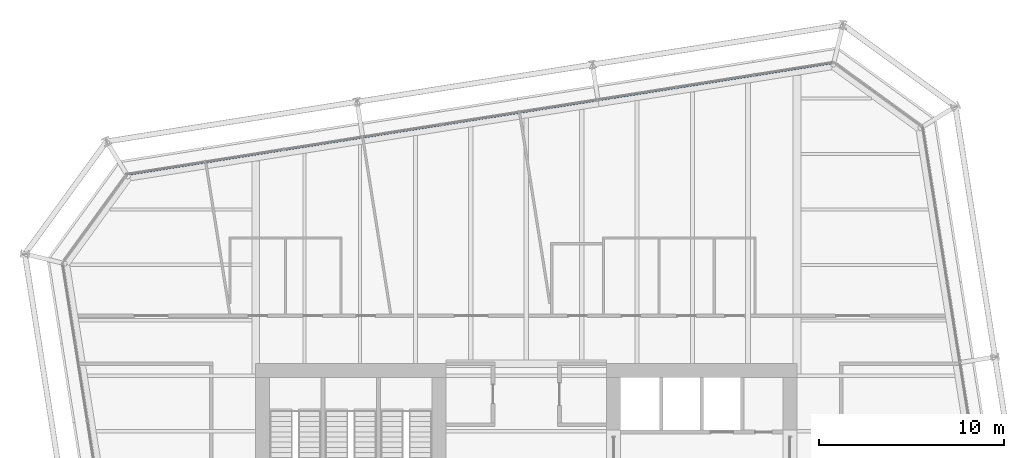
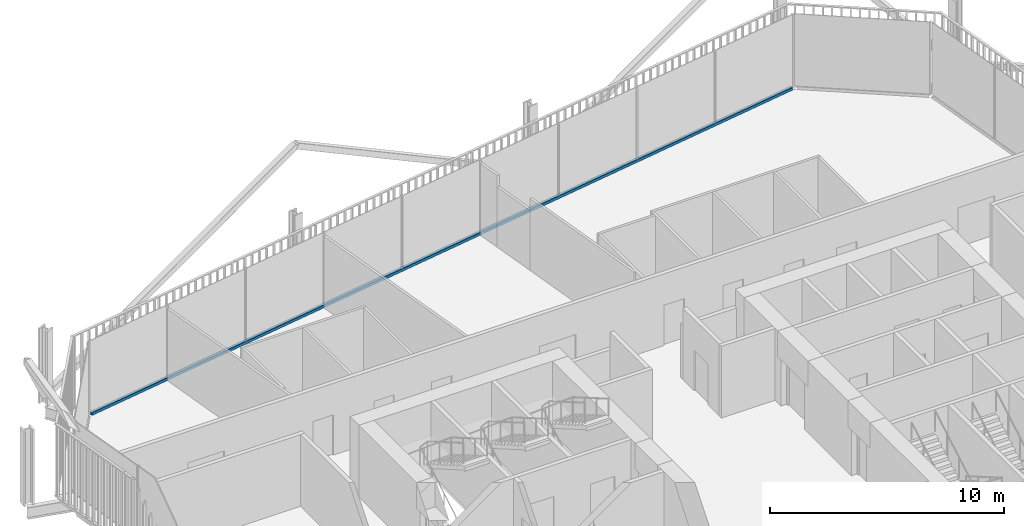
# One storey, part 12 of 22: 1 member, 1 element without a shape of its own.
"""IFC4 building model written with IfcOpenShell, lengths in metres."""

from ifc_helpers import new_model, si_unit, direction, frame, origin, origin_2d, place, context, subcontext, project, spatial, rectangle, extrude, material, layer, layer_set, material_profile, profile_set, type_object, element, aggregate, save


model = new_model("IFC4")

# Units and contexts
model_context = context("Model", 3, precision=1e-05, world=origin(), true_north=direction((0.0, 1.0)))
body_context = subcontext(model_context, "Body", "Model", "MODEL_VIEW")
ifc_project = project(units=[si_unit("LENGTHUNIT", "METRE"), si_unit("AREAUNIT", "SQUARE_METRE"), si_unit("VOLUMEUNIT", "CUBIC_METRE"), si_unit("PLANEANGLEUNIT", "RADIAN"), si_unit("MASSUNIT", "GRAM", prefix="KILO")], contexts=[model_context])

# Site, building, storey
site_placement = place(None, origin())
site = spatial("IfcSite", under=ifc_project, at=site_placement, CompositionType="ELEMENT")
building_placement = place(site_placement, origin())
building = spatial("IfcBuilding", under=site, at=building_placement, Name="Millrace Tower", CompositionType="ELEMENT")
storey_placement = place(building_placement, frame((0.0, 0.0, 180.0)))
storey = spatial("IfcBuildingStorey", under=building, at=storey_placement, Name="L40", CompositionType="ELEMENT", Elevation=180.0)

# Curtain wall, member
ifc_material_1 = material(Name="Aluminium and glass", Category="aluminium")
ifc_layer = layer(ifc_material_1, 0.14990234375)
ifc_layer_set = layer_set([ifc_layer], Name="Aluminium and glass")
curtain_wall_type = type_object("IfcCurtainWallType", Name="CW-1 office vision curtain wall", PredefinedType="NOTDEFINED", material=ifc_layer_set)
curtain_wall_placement = place(storey_placement, origin())
curtain_wall = element("IfcCurtainWall", 1, at=curtain_wall_placement, inside=storey, type_object=curtain_wall_type, Name="Curtain wall C-F06 L40", PredefinedType="NOTDEFINED")
ifc_material_2 = material(Name="Aluminium", Category="aluminium")
ifc_material_profile = material_profile(ifc_material_2, rectangle(XDim=0.14990234375, YDim=0.139892578125, at=origin_2d()))
ifc_profile_set = profile_set([ifc_material_profile], Name="Aluminium")
member_type = type_object("IfcMemberType", Name="CW-1 office vision curtain wall transom", PredefinedType="USERDEFINED", material=ifc_profile_set)
member_placement = place(storey_placement, frame((16.525146484375, 25.946044921875, 0.070068359375), z_axis=(-0.987688505691, -0.156433422663, 0.0), x_axis=(0.156433422663, -0.987688505691, 0.0)))
member = element("IfcMember", 2, at=member_placement, type_object=member_type, Name="CW1 transom C-F06.1", ObjectType="TRANSOM", PredefinedType="USERDEFINED", context=body_context, shape_type="SweptSolid", body=[
    extrude(rectangle(XDim=0.14990234375, YDim=0.139892578125, at=origin_2d()), origin(), (0.0, 0.0, 1.0), 38.5),
])
aggregate(curtain_wall, [member])

save(model, "model.ifc")
